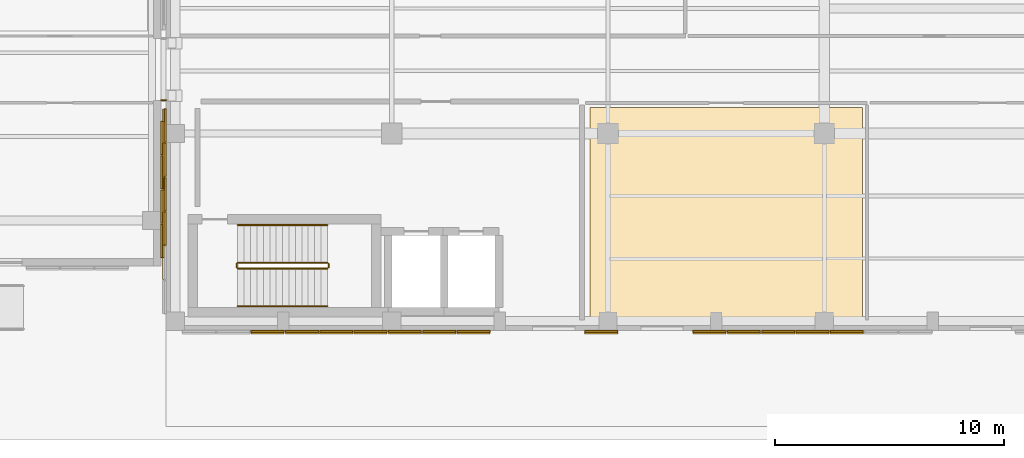
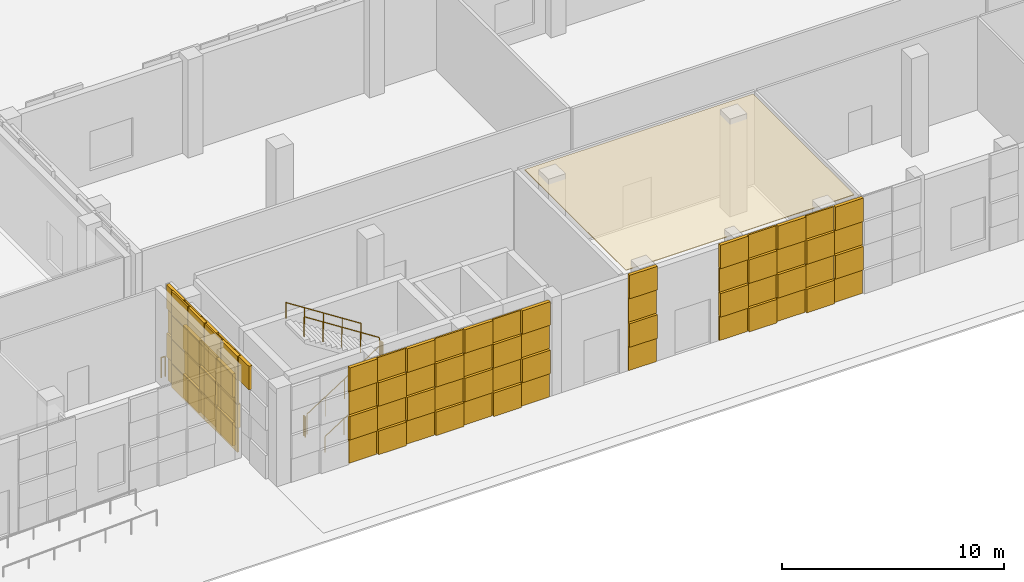
# One storey, part 21 of 40: 86 coverings, 7 railings.
"""IFC4 building model written with IfcOpenShell, lengths in metres."""

from ifc_helpers import new_model, si_unit, direction, frame, origin, origin_2d, place, context, subcontext, project, spatial, polyline, rectangle, circle, outline, extrude, material, layer, layer_set, type_object, element, save


model = new_model("IFC4")

# Units and contexts
model_context = context("Model", 3, precision=1e-05, world=origin(), true_north=direction((0.0, 1.0)))
body_context = subcontext(model_context, "Body", "Model", "MODEL_VIEW")
ifc_project = project(units=[si_unit("LENGTHUNIT", "METRE"), si_unit("AREAUNIT", "SQUARE_METRE"), si_unit("VOLUMEUNIT", "CUBIC_METRE"), si_unit("PLANEANGLEUNIT", "RADIAN"), si_unit("MASSUNIT", "GRAM", prefix="KILO")], contexts=[model_context])

# Site, building, storey
site_placement = place(None, origin())
site = spatial("IfcSite", under=ifc_project, at=site_placement, CompositionType="ELEMENT")
building_placement = place(site_placement, origin())
building = spatial("IfcBuilding", under=site, at=building_placement, Name="Qalavern Law Courts", CompositionType="ELEMENT")
storey_placement = place(building_placement, origin())
storey = spatial("IfcBuildingStorey", under=building, at=storey_placement, Name="L00", CompositionType="ELEMENT", Elevation=0.0)

# Railing
ifc_material_1 = material(Name="Steel S355", Category="steel")
railing_type_1 = type_object("IfcRailingType", Name="ENV-BAL-1120", PredefinedType="BALUSTRADE", material=ifc_material_1)
railing_1_placement = place(storey_placement, frame((34.0, 15.260009765625, 0.0)))
element("IfcRailing", 1, at=railing_1_placement, inside=storey, type_object=railing_type_1, Name="Bridge BR-V1-V2 joint guard L00-1", PredefinedType="BALUSTRADE", context=body_context, shape_type="SweptSolid", body=[
    extrude(circle(Radius=0.02392578125, at=origin_2d()), frame((0.0, 0.0, 1.09619140625), z_axis=(1.0, 0.0, 0.0), x_axis=(0.0, 1.0, 0.0)), (0.0, 0.0, 1.0), 0.219970703125),
    extrude(circle(Radius=0.02099609375, at=origin_2d()), origin(), (0.0, 0.0, 1.0), 1.072021484375),
    extrude(circle(Radius=0.02099609375, at=origin_2d()), frame((0.219970703125, 0.0, 0.0)), (0.0, 0.0, 1.0), 1.072021484375),
])

# Coverings
ifc_material_2 = material(Name="Precast concrete C40/50", Category="concrete")
ifc_layer_1 = layer(ifc_material_2, 0.06005859375)
ifc_layer_set_1 = layer_set([ifc_layer_1], Name="Precast concrete C40/50")
covering_type_1 = type_object("IfcCoveringType", Name="ENV-CLD-1", PredefinedType="CLADDING", material=ifc_layer_set_1)
for number, where, z_axis, x_axis, name in (
    (2, (34.080078125, 9.10009765625, 1.385009765625), (0.0, 0.0, 1.0), (0.0, 1.0, 0.0), "Cast drop-relief street-base tile 0026"),
    (3, (34.080078125, 10.60009765625, 0.050048828125), (0.0, 0.0, 1.0), (0.0, 1.0, 0.0), "Cast drop-relief street-base tile 0029"),
):
    element("IfcCovering", number, at=place(storey_placement, frame(where, z_axis=z_axis, x_axis=x_axis)), inside=storey, type_object=covering_type_1, Name=name, PredefinedType="CLADDING", context=body_context, shape_type="SweptSolid", body=[
        extrude(rectangle(XDim=1.449951171875, YDim=0.16796875, at=origin_2d()), origin(), (0.0, 0.0, 1.0), 1.294921875),
    ])
for number, where, z_axis, x_axis, name in (
    (4, (34.0380859375, 10.60009765625, 4.054931640625), (0.0, 0.0, 1.0), (0.0, 1.0, 0.0), "Cast drop-relief street-base tile 0032"),
    (5, (34.0380859375, 12.10009765625, 2.719970703125), (0.0, 0.0, 1.0), (0.0, 1.0, 0.0), "Cast drop-relief street-base tile 0035"),
    (6, (34.0380859375, 13.60009765625, 1.385009765625), (0.0, 0.0, 1.0), (0.0, 1.0, 0.0), "Cast drop-relief street-base tile 0038"),
    (7, (38.655029296875, 5.162109375, 2.719970703125), (0.0, 0.0, 1.0), (1.0, 0.0, 0.0), "Cast drop-relief street-base tile 0163"),
    (8, (40.155029296875, 5.162109375, 1.385009765625), (0.0, 0.0, 1.0), (1.0, 0.0, 0.0), "Cast drop-relief street-base tile 0166"),
    (9, (41.655029296875, 5.162109375, 0.050048828125), (0.0, 0.0, 1.0), (1.0, 0.0, 0.0), "Cast drop-relief street-base tile 0169"),
):
    element("IfcCovering", number, at=place(storey_placement, frame(where, z_axis=z_axis, x_axis=x_axis)), inside=storey, type_object=covering_type_1, Name=name, PredefinedType="CLADDING", context=body_context, shape_type="SweptSolid", body=[
        extrude(rectangle(XDim=1.449951171875, YDim=0.083984375, at=origin_2d()), origin(), (0.0, 0.0, 1.0), 1.294921875),
    ])
for number, where, z_axis, x_axis, name in (
    (10, (41.655029296875, 5.1201171875, 4.054931640625), (0.0, 0.0, 1.0), (1.0, 0.0, 0.0), "Cast drop-relief street-base tile 0172"),
    (11, (43.155029296875, 5.1201171875, 2.719970703125), (0.0, 0.0, 1.0), (1.0, 0.0, 0.0), "Cast drop-relief street-base tile 0175"),
    (12, (44.655029296875, 5.1201171875, 1.385009765625), (0.0, 0.0, 1.0), (1.0, 0.0, 0.0), "Cast drop-relief street-base tile 0178"),
    (13, (46.155029296875, 5.1201171875, 0.050048828125), (0.0, 0.0, 1.0), (1.0, 0.0, 0.0), "Cast drop-relief street-base tile 0181"),
):
    element("IfcCovering", number, at=place(storey_placement, frame(where, z_axis=z_axis, x_axis=x_axis)), inside=storey, type_object=covering_type_1, Name=name, PredefinedType="CLADDING", context=body_context, shape_type="SweptSolid", body=[
        extrude(rectangle(XDim=1.449951171875, YDim=0.16796875, at=origin_2d()), origin(), (0.0, 0.0, 1.0), 1.294921875),
    ])
for number, where, z_axis, x_axis, name in (
    (14, (46.155029296875, 5.162109375, 4.054931640625), (0.0, 0.0, 1.0), (1.0, 0.0, 0.0), "Cast drop-relief street-base tile 0184"),
    (15, (47.655029296875, 5.162109375, 2.719970703125), (0.0, 0.0, 1.0), (1.0, 0.0, 0.0), "Cast drop-relief street-base tile 0187"),
):
    element("IfcCovering", number, at=place(storey_placement, frame(where, z_axis=z_axis, x_axis=x_axis)), inside=storey, type_object=covering_type_1, Name=name, PredefinedType="CLADDING", context=body_context, shape_type="SweptSolid", body=[
        extrude(rectangle(XDim=1.449951171875, YDim=0.083984375, at=origin_2d()), origin(), (0.0, 0.0, 1.0), 1.294921875),
    ])
for number, where, z_axis, x_axis, name in (
    (16, (53.235107421875, 5.1201171875, 1.385009765625), (0.0, 0.0, 1.0), (1.0, 0.0, 0.0), "Cast drop-relief street-base tile 0190"),
    (17, (57.965087890625, 5.1201171875, 1.385009765625), (0.0, 0.0, 1.0), (1.0, 0.0, 0.0), "Cast drop-relief street-base tile 0194"),
    (18, (59.465087890625, 5.1201171875, 0.050048828125), (0.0, 0.0, 1.0), (1.0, 0.0, 0.0), "Cast drop-relief street-base tile 0197"),
):
    element("IfcCovering", number, at=place(storey_placement, frame(where, z_axis=z_axis, x_axis=x_axis)), inside=storey, type_object=covering_type_1, Name=name, PredefinedType="CLADDING", context=body_context, shape_type="SweptSolid", body=[
        extrude(rectangle(XDim=1.449951171875, YDim=0.16796875, at=origin_2d()), origin(), (0.0, 0.0, 1.0), 1.294921875),
    ])
for number, where, z_axis, x_axis, name in (
    (19, (59.465087890625, 5.162109375, 4.054931640625), (0.0, 0.0, 1.0), (1.0, 0.0, 0.0), "Cast drop-relief street-base tile 0200"),
    (20, (60.965087890625, 5.162109375, 2.719970703125), (0.0, 0.0, 1.0), (1.0, 0.0, 0.0), "Cast drop-relief street-base tile 0203"),
    (21, (62.465087890625, 5.162109375, 1.385009765625), (0.0, 0.0, 1.0), (1.0, 0.0, 0.0), "Cast drop-relief street-base tile 0206"),
    (22, (63.965087890625, 5.162109375, 0.050048828125), (0.0, 0.0, 1.0), (1.0, 0.0, 0.0), "Cast drop-relief street-base tile 0209"),
):
    element("IfcCovering", number, at=place(storey_placement, frame(where, z_axis=z_axis, x_axis=x_axis)), inside=storey, type_object=covering_type_1, Name=name, PredefinedType="CLADDING", context=body_context, shape_type="SweptSolid", body=[
        extrude(rectangle(XDim=1.449951171875, YDim=0.083984375, at=origin_2d()), origin(), (0.0, 0.0, 1.0), 1.294921875),
    ])
for number, where, z_axis, x_axis, name in (
    (23, (63.965087890625, 5.1201171875, 4.054931640625), (0.0, 0.0, 1.0), (1.0, 0.0, 0.0), "Cast drop-relief street-base tile 0212"),
    (24, (34.139892578125, 14.14990234375, 1.385009765625), (0.0, 0.0, 1.0), (0.0, -1.0, 0.0), "Cast drop-relief street-base tile 0458"),
    (25, (34.139892578125, 12.64990234375, 0.050048828125), (0.0, 0.0, 1.0), (0.0, -1.0, 0.0), "Cast drop-relief street-base tile 0461"),
):
    element("IfcCovering", number, at=place(storey_placement, frame(where, z_axis=z_axis, x_axis=x_axis)), inside=storey, type_object=covering_type_1, Name=name, PredefinedType="CLADDING", context=body_context, shape_type="SweptSolid", body=[
        extrude(rectangle(XDim=1.449951171875, YDim=0.16796875, at=origin_2d()), origin(), (0.0, 0.0, 1.0), 1.294921875),
    ])
for number, where, z_axis, x_axis, name in (
    (26, (34.181884765625, 12.64990234375, 4.054931640625), (0.0, 0.0, 1.0), (0.0, -1.0, 0.0), "Cast drop-relief street-base tile 0464"),
    (27, (34.181884765625, 11.14990234375, 2.719970703125), (0.0, 0.0, 1.0), (0.0, -1.0, 0.0), "Cast drop-relief street-base tile 0467"),
    (28, (34.181884765625, 9.64990234375, 1.385009765625), (0.0, 0.0, 1.0), (0.0, -1.0, 0.0), "Cast drop-relief street-base tile 0470"),
):
    element("IfcCovering", number, at=place(storey_placement, frame(where, z_axis=z_axis, x_axis=x_axis)), inside=storey, type_object=covering_type_1, Name=name, PredefinedType="CLADDING", context=body_context, shape_type="SweptSolid", body=[
        extrude(rectangle(XDim=1.449951171875, YDim=0.083984375, at=origin_2d()), origin(), (0.0, 0.0, 1.0), 1.294921875),
    ])
covering_1_placement = place(storey_placement, frame((34.139892578125, 8.14990234375, 4.054931640625), z_axis=(0.0, 0.0, 1.0), x_axis=(0.0, -1.0, 0.0)))
element("IfcCovering", 29, at=covering_1_placement, inside=storey, type_object=covering_type_1, Name="Cast drop-relief street-base tile 0476", PredefinedType="CLADDING", context=body_context, shape_type="SweptSolid", body=[
    extrude(rectangle(XDim=1.449951171875, YDim=0.16796875, at=origin_2d()), origin(), (0.0, 0.0, 1.0), 1.294921875),
])
ifc_layer_2 = layer(ifc_material_2, 0.072021484375)
ifc_layer_set_2 = layer_set([ifc_layer_2], Name="Precast concrete C40/50")
covering_type_2 = type_object("IfcCoveringType", Name="ENV-CLD-2", PredefinedType="CLADDING", material=ifc_layer_set_2)
for number, where, z_axis, x_axis, name in (
    (30, (34.0380859375, 9.10009765625, 2.719970703125), (0.0, 0.0, 1.0), (0.0, 1.0, 0.0), "Cast drop-relief street-base tile 0027"),
    (31, (34.0380859375, 10.60009765625, 1.385009765625), (0.0, 0.0, 1.0), (0.0, 1.0, 0.0), "Cast drop-relief street-base tile 0030"),
    (32, (34.0380859375, 12.10009765625, 0.050048828125), (0.0, 0.0, 1.0), (0.0, 1.0, 0.0), "Cast drop-relief street-base tile 0033"),
):
    element("IfcCovering", number, at=place(storey_placement, frame(where, z_axis=z_axis, x_axis=x_axis)), inside=storey, type_object=covering_type_2, Name=name, PredefinedType="CLADDING", context=body_context, shape_type="SweptSolid", body=[
        extrude(rectangle(XDim=1.449951171875, YDim=0.083984375, at=origin_2d()), origin(), (0.0, 0.0, 1.0), 1.294921875),
    ])
for number, where, z_axis, x_axis, name in (
    (33, (34.080078125, 12.10009765625, 4.054931640625), (0.0, 0.0, 1.0), (0.0, 1.0, 0.0), "Cast drop-relief street-base tile 0036"),
    (34, (34.080078125, 13.60009765625, 2.719970703125), (0.0, 0.0, 1.0), (0.0, 1.0, 0.0), "Cast drop-relief street-base tile 0039"),
):
    element("IfcCovering", number, at=place(storey_placement, frame(where, z_axis=z_axis, x_axis=x_axis)), inside=storey, type_object=covering_type_2, Name=name, PredefinedType="CLADDING", context=body_context, shape_type="SweptSolid", body=[
        extrude(rectangle(XDim=1.449951171875, YDim=0.16796875, at=origin_2d()), origin(), (0.0, 0.0, 1.0), 1.294921875),
    ])
covering_2_placement = place(storey_placement, frame((38.655029296875, 5.162109375, 0.050048828125), z_axis=(0.0, 0.0, 1.0), x_axis=(1.0, 0.0, 0.0)))
element("IfcCovering", 35, at=covering_2_placement, inside=storey, type_object=covering_type_2, Name="Cast drop-relief street-base tile 0161", PredefinedType="CLADDING", context=body_context, shape_type="SweptSolid", body=[
    extrude(rectangle(XDim=1.449951171875, YDim=0.083984375, at=origin_2d()), origin(), (0.0, 0.0, 1.0), 1.294921875),
])
for number, where, z_axis, x_axis, name in (
    (36, (38.655029296875, 5.1201171875, 4.054931640625), (0.0, 0.0, 1.0), (1.0, 0.0, 0.0), "Cast drop-relief street-base tile 0164"),
    (37, (40.155029296875, 5.1201171875, 2.719970703125), (0.0, 0.0, 1.0), (1.0, 0.0, 0.0), "Cast drop-relief street-base tile 0167"),
    (38, (41.655029296875, 5.1201171875, 1.385009765625), (0.0, 0.0, 1.0), (1.0, 0.0, 0.0), "Cast drop-relief street-base tile 0170"),
    (39, (43.155029296875, 5.1201171875, 0.050048828125), (0.0, 0.0, 1.0), (1.0, 0.0, 0.0), "Cast drop-relief street-base tile 0173"),
):
    element("IfcCovering", number, at=place(storey_placement, frame(where, z_axis=z_axis, x_axis=x_axis)), inside=storey, type_object=covering_type_2, Name=name, PredefinedType="CLADDING", context=body_context, shape_type="SweptSolid", body=[
        extrude(rectangle(XDim=1.449951171875, YDim=0.16796875, at=origin_2d()), origin(), (0.0, 0.0, 1.0), 1.294921875),
    ])
for number, where, z_axis, x_axis, name in (
    (40, (43.155029296875, 5.162109375, 4.054931640625), (0.0, 0.0, 1.0), (1.0, 0.0, 0.0), "Cast drop-relief street-base tile 0176"),
    (41, (44.655029296875, 5.162109375, 2.719970703125), (0.0, 0.0, 1.0), (1.0, 0.0, 0.0), "Cast drop-relief street-base tile 0179"),
    (42, (46.155029296875, 5.162109375, 1.385009765625), (0.0, 0.0, 1.0), (1.0, 0.0, 0.0), "Cast drop-relief street-base tile 0182"),
    (43, (47.655029296875, 5.162109375, 0.050048828125), (0.0, 0.0, 1.0), (1.0, 0.0, 0.0), "Cast drop-relief street-base tile 0185"),
):
    element("IfcCovering", number, at=place(storey_placement, frame(where, z_axis=z_axis, x_axis=x_axis)), inside=storey, type_object=covering_type_2, Name=name, PredefinedType="CLADDING", context=body_context, shape_type="SweptSolid", body=[
        extrude(rectangle(XDim=1.449951171875, YDim=0.083984375, at=origin_2d()), origin(), (0.0, 0.0, 1.0), 1.294921875),
    ])
covering_3_placement = place(storey_placement, frame((47.655029296875, 5.1201171875, 4.054931640625), z_axis=(0.0, 0.0, 1.0), x_axis=(1.0, 0.0, 0.0)))
element("IfcCovering", 44, at=covering_3_placement, inside=storey, type_object=covering_type_2, Name="Cast drop-relief street-base tile 0188", PredefinedType="CLADDING", context=body_context, shape_type="SweptSolid", body=[
    extrude(rectangle(XDim=1.449951171875, YDim=0.16796875, at=origin_2d()), origin(), (0.0, 0.0, 1.0), 1.294921875),
])
for number, where, z_axis, x_axis, name in (
    (45, (53.235107421875, 5.162109375, 2.719970703125), (0.0, 0.0, 1.0), (1.0, 0.0, 0.0), "Cast drop-relief street-base tile 0191"),
    (46, (57.965087890625, 5.162109375, 2.719970703125), (0.0, 0.0, 1.0), (1.0, 0.0, 0.0), "Cast drop-relief street-base tile 0195"),
    (47, (59.465087890625, 5.162109375, 1.385009765625), (0.0, 0.0, 1.0), (1.0, 0.0, 0.0), "Cast drop-relief street-base tile 0198"),
    (48, (60.965087890625, 5.162109375, 0.050048828125), (0.0, 0.0, 1.0), (1.0, 0.0, 0.0), "Cast drop-relief street-base tile 0201"),
):
    element("IfcCovering", number, at=place(storey_placement, frame(where, z_axis=z_axis, x_axis=x_axis)), inside=storey, type_object=covering_type_2, Name=name, PredefinedType="CLADDING", context=body_context, shape_type="SweptSolid", body=[
        extrude(rectangle(XDim=1.449951171875, YDim=0.083984375, at=origin_2d()), origin(), (0.0, 0.0, 1.0), 1.294921875),
    ])
for number, where, z_axis, x_axis, name in (
    (49, (60.965087890625, 5.1201171875, 4.054931640625), (0.0, 0.0, 1.0), (1.0, 0.0, 0.0), "Cast drop-relief street-base tile 0204"),
    (50, (62.465087890625, 5.1201171875, 2.719970703125), (0.0, 0.0, 1.0), (1.0, 0.0, 0.0), "Cast drop-relief street-base tile 0207"),
    (51, (63.965087890625, 5.1201171875, 1.385009765625), (0.0, 0.0, 1.0), (1.0, 0.0, 0.0), "Cast drop-relief street-base tile 0210"),
):
    element("IfcCovering", number, at=place(storey_placement, frame(where, z_axis=z_axis, x_axis=x_axis)), inside=storey, type_object=covering_type_2, Name=name, PredefinedType="CLADDING", context=body_context, shape_type="SweptSolid", body=[
        extrude(rectangle(XDim=1.449951171875, YDim=0.16796875, at=origin_2d()), origin(), (0.0, 0.0, 1.0), 1.294921875),
    ])
for number, where, z_axis, x_axis, name in (
    (52, (34.181884765625, 14.14990234375, 2.719970703125), (0.0, 0.0, 1.0), (0.0, -1.0, 0.0), "Cast drop-relief street-base tile 0459"),
    (53, (34.181884765625, 12.64990234375, 1.385009765625), (0.0, 0.0, 1.0), (0.0, -1.0, 0.0), "Cast drop-relief street-base tile 0462"),
    (54, (34.181884765625, 11.14990234375, 0.050048828125), (0.0, 0.0, 1.0), (0.0, -1.0, 0.0), "Cast drop-relief street-base tile 0465"),
):
    element("IfcCovering", number, at=place(storey_placement, frame(where, z_axis=z_axis, x_axis=x_axis)), inside=storey, type_object=covering_type_2, Name=name, PredefinedType="CLADDING", context=body_context, shape_type="SweptSolid", body=[
        extrude(rectangle(XDim=1.449951171875, YDim=0.083984375, at=origin_2d()), origin(), (0.0, 0.0, 1.0), 1.294921875),
    ])
for number, where, z_axis, x_axis, name in (
    (55, (34.139892578125, 11.14990234375, 4.054931640625), (0.0, 0.0, 1.0), (0.0, -1.0, 0.0), "Cast drop-relief street-base tile 0468"),
    (56, (34.139892578125, 9.64990234375, 2.719970703125), (0.0, 0.0, 1.0), (0.0, -1.0, 0.0), "Cast drop-relief street-base tile 0471"),
):
    element("IfcCovering", number, at=place(storey_placement, frame(where, z_axis=z_axis, x_axis=x_axis)), inside=storey, type_object=covering_type_2, Name=name, PredefinedType="CLADDING", context=body_context, shape_type="SweptSolid", body=[
        extrude(rectangle(XDim=1.449951171875, YDim=0.16796875, at=origin_2d()), origin(), (0.0, 0.0, 1.0), 1.294921875),
    ])
ifc_layer_3 = layer(ifc_material_2, 0.083984375)
ifc_layer_set_3 = layer_set([ifc_layer_3], Name="Precast concrete C40/50")
covering_type_3 = type_object("IfcCoveringType", Name="ENV-CLD-3", PredefinedType="CLADDING", material=ifc_layer_set_3)
covering_4_placement = place(storey_placement, frame((34.0380859375, 9.10009765625, 0.050048828125), z_axis=(0.0, 0.0, 1.0), x_axis=(0.0, 1.0, 0.0)))
element("IfcCovering", 57, at=covering_4_placement, inside=storey, type_object=covering_type_3, Name="Cast drop-relief street-base tile 0025", PredefinedType="CLADDING", context=body_context, shape_type="SweptSolid", body=[
    extrude(rectangle(XDim=1.449951171875, YDim=0.083984375, at=origin_2d()), origin(), (0.0, 0.0, 1.0), 1.294921875),
])
for number, where, z_axis, x_axis, name in (
    (58, (34.080078125, 9.10009765625, 4.054931640625), (0.0, 0.0, 1.0), (0.0, 1.0, 0.0), "Cast drop-relief street-base tile 0028"),
    (59, (34.080078125, 10.60009765625, 2.719970703125), (0.0, 0.0, 1.0), (0.0, 1.0, 0.0), "Cast drop-relief street-base tile 0031"),
    (60, (34.080078125, 12.10009765625, 1.385009765625), (0.0, 0.0, 1.0), (0.0, 1.0, 0.0), "Cast drop-relief street-base tile 0034"),
    (61, (34.080078125, 13.60009765625, 0.050048828125), (0.0, 0.0, 1.0), (0.0, 1.0, 0.0), "Cast drop-relief street-base tile 0037"),
):
    element("IfcCovering", number, at=place(storey_placement, frame(where, z_axis=z_axis, x_axis=x_axis)), inside=storey, type_object=covering_type_3, Name=name, PredefinedType="CLADDING", context=body_context, shape_type="SweptSolid", body=[
        extrude(rectangle(XDim=1.449951171875, YDim=0.16796875, at=origin_2d()), origin(), (0.0, 0.0, 1.0), 1.294921875),
    ])
covering_5_placement = place(storey_placement, frame((34.0380859375, 13.60009765625, 4.054931640625), z_axis=(0.0, 0.0, 1.0), x_axis=(0.0, 1.0, 0.0)))
element("IfcCovering", 62, at=covering_5_placement, inside=storey, type_object=covering_type_3, Name="Cast drop-relief street-base tile 0040", PredefinedType="CLADDING", context=body_context, shape_type="SweptSolid", body=[
    extrude(rectangle(XDim=1.449951171875, YDim=0.083984375, at=origin_2d()), origin(), (0.0, 0.0, 1.0), 1.294921875),
])
for number, where, z_axis, x_axis, name in (
    (63, (38.655029296875, 5.1201171875, 1.385009765625), (0.0, 0.0, 1.0), (1.0, 0.0, 0.0), "Cast drop-relief street-base tile 0162"),
    (64, (40.155029296875, 5.1201171875, 0.050048828125), (0.0, 0.0, 1.0), (1.0, 0.0, 0.0), "Cast drop-relief street-base tile 0165"),
):
    element("IfcCovering", number, at=place(storey_placement, frame(where, z_axis=z_axis, x_axis=x_axis)), inside=storey, type_object=covering_type_3, Name=name, PredefinedType="CLADDING", context=body_context, shape_type="SweptSolid", body=[
        extrude(rectangle(XDim=1.449951171875, YDim=0.16796875, at=origin_2d()), origin(), (0.0, 0.0, 1.0), 1.294921875),
    ])
for number, where, z_axis, x_axis, name in (
    (65, (40.155029296875, 5.162109375, 4.054931640625), (0.0, 0.0, 1.0), (1.0, 0.0, 0.0), "Cast drop-relief street-base tile 0168"),
    (66, (41.655029296875, 5.162109375, 2.719970703125), (0.0, 0.0, 1.0), (1.0, 0.0, 0.0), "Cast drop-relief street-base tile 0171"),
    (67, (43.155029296875, 5.162109375, 1.385009765625), (0.0, 0.0, 1.0), (1.0, 0.0, 0.0), "Cast drop-relief street-base tile 0174"),
    (68, (44.655029296875, 5.162109375, 0.050048828125), (0.0, 0.0, 1.0), (1.0, 0.0, 0.0), "Cast drop-relief street-base tile 0177"),
):
    element("IfcCovering", number, at=place(storey_placement, frame(where, z_axis=z_axis, x_axis=x_axis)), inside=storey, type_object=covering_type_3, Name=name, PredefinedType="CLADDING", context=body_context, shape_type="SweptSolid", body=[
        extrude(rectangle(XDim=1.449951171875, YDim=0.083984375, at=origin_2d()), origin(), (0.0, 0.0, 1.0), 1.294921875),
    ])
for number, where, z_axis, x_axis, name in (
    (69, (44.655029296875, 5.1201171875, 4.054931640625), (0.0, 0.0, 1.0), (1.0, 0.0, 0.0), "Cast drop-relief street-base tile 0180"),
    (70, (46.155029296875, 5.1201171875, 2.719970703125), (0.0, 0.0, 1.0), (1.0, 0.0, 0.0), "Cast drop-relief street-base tile 0183"),
    (71, (47.655029296875, 5.1201171875, 1.385009765625), (0.0, 0.0, 1.0), (1.0, 0.0, 0.0), "Cast drop-relief street-base tile 0186"),
):
    element("IfcCovering", number, at=place(storey_placement, frame(where, z_axis=z_axis, x_axis=x_axis)), inside=storey, type_object=covering_type_3, Name=name, PredefinedType="CLADDING", context=body_context, shape_type="SweptSolid", body=[
        extrude(rectangle(XDim=1.449951171875, YDim=0.16796875, at=origin_2d()), origin(), (0.0, 0.0, 1.0), 1.294921875),
    ])
covering_6_placement = place(storey_placement, frame((53.235107421875, 5.162109375, 0.050048828125), z_axis=(0.0, 0.0, 1.0), x_axis=(1.0, 0.0, 0.0)))
element("IfcCovering", 72, at=covering_6_placement, inside=storey, type_object=covering_type_3, Name="Cast drop-relief street-base tile 0189", PredefinedType="CLADDING", context=body_context, shape_type="SweptSolid", body=[
    extrude(rectangle(XDim=1.449951171875, YDim=0.083984375, at=origin_2d()), origin(), (0.0, 0.0, 1.0), 1.294921875),
])
covering_7_placement = place(storey_placement, frame((53.235107421875, 5.1201171875, 4.054931640625), z_axis=(0.0, 0.0, 1.0), x_axis=(1.0, 0.0, 0.0)))
element("IfcCovering", 73, at=covering_7_placement, inside=storey, type_object=covering_type_3, Name="Cast drop-relief street-base tile 0192", PredefinedType="CLADDING", context=body_context, shape_type="SweptSolid", body=[
    extrude(rectangle(XDim=1.449951171875, YDim=0.16796875, at=origin_2d()), origin(), (0.0, 0.0, 1.0), 1.294921875),
])
covering_8_placement = place(storey_placement, frame((57.965087890625, 5.162109375, 0.050048828125), z_axis=(0.0, 0.0, 1.0), x_axis=(1.0, 0.0, 0.0)))
element("IfcCovering", 74, at=covering_8_placement, inside=storey, type_object=covering_type_3, Name="Cast drop-relief street-base tile 0193", PredefinedType="CLADDING", context=body_context, shape_type="SweptSolid", body=[
    extrude(rectangle(XDim=1.449951171875, YDim=0.083984375, at=origin_2d()), origin(), (0.0, 0.0, 1.0), 1.294921875),
])
for number, where, z_axis, x_axis, name in (
    (75, (57.965087890625, 5.1201171875, 4.054931640625), (0.0, 0.0, 1.0), (1.0, 0.0, 0.0), "Cast drop-relief street-base tile 0196"),
    (76, (59.465087890625, 5.1201171875, 2.719970703125), (0.0, 0.0, 1.0), (1.0, 0.0, 0.0), "Cast drop-relief street-base tile 0199"),
    (77, (60.965087890625, 5.1201171875, 1.385009765625), (0.0, 0.0, 1.0), (1.0, 0.0, 0.0), "Cast drop-relief street-base tile 0202"),
    (78, (62.465087890625, 5.1201171875, 0.050048828125), (0.0, 0.0, 1.0), (1.0, 0.0, 0.0), "Cast drop-relief street-base tile 0205"),
):
    element("IfcCovering", number, at=place(storey_placement, frame(where, z_axis=z_axis, x_axis=x_axis)), inside=storey, type_object=covering_type_3, Name=name, PredefinedType="CLADDING", context=body_context, shape_type="SweptSolid", body=[
        extrude(rectangle(XDim=1.449951171875, YDim=0.16796875, at=origin_2d()), origin(), (0.0, 0.0, 1.0), 1.294921875),
    ])
for number, where, z_axis, x_axis, name in (
    (79, (62.465087890625, 5.162109375, 4.054931640625), (0.0, 0.0, 1.0), (1.0, 0.0, 0.0), "Cast drop-relief street-base tile 0208"),
    (80, (63.965087890625, 5.162109375, 2.719970703125), (0.0, 0.0, 1.0), (1.0, 0.0, 0.0), "Cast drop-relief street-base tile 0211"),
    (81, (34.181884765625, 14.14990234375, 0.050048828125), (0.0, 0.0, 1.0), (0.0, -1.0, 0.0), "Cast drop-relief street-base tile 0457"),
):
    element("IfcCovering", number, at=place(storey_placement, frame(where, z_axis=z_axis, x_axis=x_axis)), inside=storey, type_object=covering_type_3, Name=name, PredefinedType="CLADDING", context=body_context, shape_type="SweptSolid", body=[
        extrude(rectangle(XDim=1.449951171875, YDim=0.083984375, at=origin_2d()), origin(), (0.0, 0.0, 1.0), 1.294921875),
    ])
for number, where, z_axis, x_axis, name in (
    (82, (34.139892578125, 14.14990234375, 4.054931640625), (0.0, 0.0, 1.0), (0.0, -1.0, 0.0), "Cast drop-relief street-base tile 0460"),
    (83, (34.139892578125, 12.64990234375, 2.719970703125), (0.0, 0.0, 1.0), (0.0, -1.0, 0.0), "Cast drop-relief street-base tile 0463"),
    (84, (34.139892578125, 11.14990234375, 1.385009765625), (0.0, 0.0, 1.0), (0.0, -1.0, 0.0), "Cast drop-relief street-base tile 0466"),
    (85, (34.139892578125, 9.64990234375, 0.050048828125), (0.0, 0.0, 1.0), (0.0, -1.0, 0.0), "Cast drop-relief street-base tile 0469"),
):
    element("IfcCovering", number, at=place(storey_placement, frame(where, z_axis=z_axis, x_axis=x_axis)), inside=storey, type_object=covering_type_3, Name=name, PredefinedType="CLADDING", context=body_context, shape_type="SweptSolid", body=[
        extrude(rectangle(XDim=1.449951171875, YDim=0.16796875, at=origin_2d()), origin(), (0.0, 0.0, 1.0), 1.294921875),
    ])
covering_9_placement = place(storey_placement, frame((34.181884765625, 9.64990234375, 4.054931640625), z_axis=(0.0, 0.0, 1.0), x_axis=(0.0, -1.0, 0.0)))
element("IfcCovering", 86, at=covering_9_placement, inside=storey, type_object=covering_type_3, Name="Cast drop-relief street-base tile 0472", PredefinedType="CLADDING", context=body_context, shape_type="SweptSolid", body=[
    extrude(rectangle(XDim=1.449951171875, YDim=0.083984375, at=origin_2d()), origin(), (0.0, 0.0, 1.0), 1.294921875),
])
ifc_material_3 = material(Name="Perforated gypsum and mineral-wool acoustic ceiling")
ifc_layer_4 = layer(ifc_material_3, 0.0380859375)
ifc_layer_set_4 = layer_set([ifc_layer_4], Name="Perforated gypsum and mineral-wool acoustic ceiling")
covering_type_4 = type_object("IfcCoveringType", Name="INT-CEIL-1", PredefinedType="CEILING", material=ifc_layer_set_4)
covering_10_placement = place(storey_placement, frame((0.0, 0.0, 5.06201171875)))
element("IfcCovering", 87, at=covering_10_placement, inside=storey, type_object=covering_type_4, Name="Public Hall acoustic ceiling L00", PredefinedType="CEILING", context=body_context, shape_type="SweptSolid", body=[
    extrude(outline(polyline([(52.75, 5.7900390625), (64.64501953125, 5.7900390625), (64.64501953125, 14.929931640625), (52.75, 14.929931640625), (52.75, 5.7900390625)])), origin(), (0.0, 0.0, 1.0), 0.0380859375),
])

# Railings
railing_type_2 = type_object("IfcRailingType", Name="INT-GUARD-1120", PredefinedType="BALUSTRADE", material=ifc_material_1)
railing_2_placement = place(storey_placement, frame((37.35009765625, 7.89990234375, 0.179931640625)))
element("IfcRailing", 88, at=railing_2_placement, inside=storey, type_object=railing_type_2, Name="L00 ST-K4 stair guard 1", PredefinedType="BALUSTRADE", context=body_context, shape_type="SweptSolid", body=[
    extrude(circle(Radius=0.02392578125, at=origin_2d()), frame((0.0, 0.0, 1.09619140625), z_axis=(0.841171666519, 0.0, 0.540768182723), x_axis=(0.0, 1.0, 0.0)), (0.0, 0.0, 1.0), 4.66015625),
    extrude(circle(Radius=0.02099609375, at=origin_2d()), origin(), (0.0, 0.0, 1.0), 1.072021484375),
    extrude(circle(Radius=0.02099609375, at=origin_2d()), frame((0.97998046875, 0.0, 0.6298828125)), (0.0, 0.0, 1.0), 1.072021484375),
    extrude(circle(Radius=0.02099609375, at=origin_2d()), frame((1.9599609375, 0.0, 1.260009765625)), (0.0, 0.0, 1.0), 1.072021484375),
    extrude(circle(Radius=0.02099609375, at=origin_2d()), frame((2.93994140625, 0.0, 1.89013671875)), (0.0, 0.0, 1.0), 1.072021484375),
    extrude(circle(Radius=0.02099609375, at=origin_2d()), frame((3.919921875, 0.0, 2.52001953125)), (0.0, 0.0, 1.0), 1.072021484375),
])
railing_3_placement = place(storey_placement, frame((41.320068359375, 7.949951171875, 2.699951171875)))
element("IfcRailing", 89, at=railing_3_placement, inside=storey, type_object=railing_type_2, Name="L00 ST-K4 stair guard 2", PredefinedType="BALUSTRADE", context=body_context, shape_type="SweptSolid", body=[
    extrude(circle(Radius=0.02392578125, at=origin_2d()), frame((0.0, 0.0, 1.09619140625), z_axis=(0.0, 1.0, 0.0), x_axis=(-1.0, 0.0, 0.0)), (0.0, 0.0, 1.0), 0.150146484375),
    extrude(circle(Radius=0.02099609375, at=origin_2d()), origin(), (0.0, 0.0, 1.0), 1.072021484375),
    extrude(circle(Radius=0.02099609375, at=origin_2d()), frame((0.0, 0.150146484375, 0.0)), (0.0, 0.0, 1.0), 1.072021484375),
])
railing_4_placement = place(storey_placement, frame((41.27001953125, 8.14990234375, 2.8798828125)))
element("IfcRailing", 90, at=railing_4_placement, inside=storey, type_object=railing_type_2, Name="L00 ST-K4 stair guard 3", PredefinedType="BALUSTRADE", context=body_context, shape_type="SweptSolid", body=[
    extrude(circle(Radius=0.02392578125, at=origin_2d()), frame((0.0, 0.0, 1.09619140625), z_axis=(-0.841171666519, 0.0, 0.540768182723), x_axis=(0.0, -1.0, 0.0)), (0.0, 0.0, 1.0), 4.66015625),
    extrude(circle(Radius=0.02099609375, at=origin_2d()), origin(), (0.0, 0.0, 1.0), 1.072021484375),
    extrude(circle(Radius=0.02099609375, at=origin_2d()), frame((-0.97998046875, 0.0, 0.6298828125)), (0.0, 0.0, 1.0), 1.072021484375),
    extrude(circle(Radius=0.02099609375, at=origin_2d()), frame((-1.9599609375, 0.0, 1.260009765625)), (0.0, 0.0, 1.0), 1.072021484375),
    extrude(circle(Radius=0.02099609375, at=origin_2d()), frame((-2.93994140625, 0.0, 1.89013671875)), (0.0, 0.0, 1.0), 1.072021484375),
    extrude(circle(Radius=0.02099609375, at=origin_2d()), frame((-3.919921875, 0.0, 2.52001953125)), (0.0, 0.0, 1.0), 1.072021484375),
])
railing_5_placement = place(storey_placement, frame((37.300048828125, 7.949951171875, 0.0)))
element("IfcRailing", 91, at=railing_5_placement, inside=storey, type_object=railing_type_2, Name="L00 ST-K4 stair guard 4", PredefinedType="BALUSTRADE", context=body_context, shape_type="SweptSolid", body=[
    extrude(circle(Radius=0.02392578125, at=origin_2d()), frame((0.0, 0.0, 1.09619140625), z_axis=(0.0, 1.0, 0.0), x_axis=(-1.0, 0.0, 0.0)), (0.0, 0.0, 1.0), 0.150146484375),
    extrude(circle(Radius=0.02099609375, at=origin_2d()), origin(), (0.0, 0.0, 1.0), 1.072021484375),
    extrude(circle(Radius=0.02099609375, at=origin_2d()), frame((0.0, 0.150146484375, 0.0)), (0.0, 0.0, 1.0), 1.072021484375),
])
railing_type_3 = type_object("IfcRailingType", Name="INT-HRAIL-920", PredefinedType="HANDRAIL", material=ifc_material_1)
railing_6_placement = place(storey_placement, frame((37.35009765625, 6.25, 0.179931640625)))
element("IfcRailing", 92, at=railing_6_placement, inside=storey, type_object=railing_type_3, Name="L00 ST-K4 stair handrail 1", PredefinedType="HANDRAIL", context=body_context, shape_type="SweptSolid", body=[
    extrude(circle(Radius=0.02392578125, at=origin_2d()), frame((0.0, 0.0, 0.8759765625), z_axis=(0.841171666519, 0.0, 0.540768182723), x_axis=(0.0, 1.0, 0.0)), (0.0, 0.0, 1.0), 4.66015625),
    extrude(circle(Radius=0.02099609375, at=origin_2d()), origin(), (0.0, 0.0, 1.0), 0.851806640625),
    extrude(circle(Radius=0.02099609375, at=origin_2d()), frame((0.97998046875, 0.0, 0.6298828125)), (0.0, 0.0, 1.0), 0.851806640625),
    extrude(circle(Radius=0.02099609375, at=origin_2d()), frame((1.9599609375, 0.0, 1.260009765625)), (0.0, 0.0, 1.0), 0.851806640625),
    extrude(circle(Radius=0.02099609375, at=origin_2d()), frame((2.93994140625, 0.0, 1.89013671875)), (0.0, 0.0, 1.0), 0.851806640625),
    extrude(circle(Radius=0.02099609375, at=origin_2d()), frame((3.919921875, 0.0, 2.52001953125)), (0.0, 0.0, 1.0), 0.851806640625),
])
railing_7_placement = place(storey_placement, frame((41.27001953125, 9.800048828125, 2.8798828125)))
element("IfcRailing", 93, at=railing_7_placement, inside=storey, type_object=railing_type_3, Name="L00 ST-K4 stair handrail 2", PredefinedType="HANDRAIL", context=body_context, shape_type="SweptSolid", body=[
    extrude(circle(Radius=0.02392578125, at=origin_2d()), frame((0.0, 0.0, 0.8759765625), z_axis=(-0.841171666519, 0.0, 0.540768182723), x_axis=(0.0, -1.0, 0.0)), (0.0, 0.0, 1.0), 4.66015625),
    extrude(circle(Radius=0.02099609375, at=origin_2d()), origin(), (0.0, 0.0, 1.0), 0.851806640625),
    extrude(circle(Radius=0.02099609375, at=origin_2d()), frame((-0.97998046875, 0.0, 0.6298828125)), (0.0, 0.0, 1.0), 0.851806640625),
    extrude(circle(Radius=0.02099609375, at=origin_2d()), frame((-1.9599609375, 0.0, 1.260009765625)), (0.0, 0.0, 1.0), 0.851806640625),
    extrude(circle(Radius=0.02099609375, at=origin_2d()), frame((-2.93994140625, 0.0, 1.89013671875)), (0.0, 0.0, 1.0), 0.851806640625),
    extrude(circle(Radius=0.02099609375, at=origin_2d()), frame((-3.919921875, 0.0, 2.52001953125)), (0.0, 0.0, 1.0), 0.851806640625),
])

save(model, "model.ifc")
